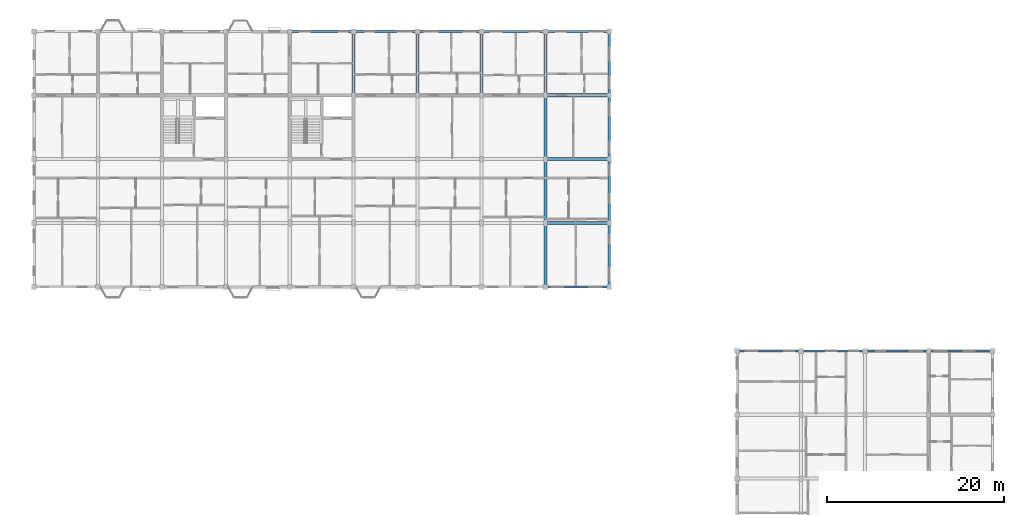
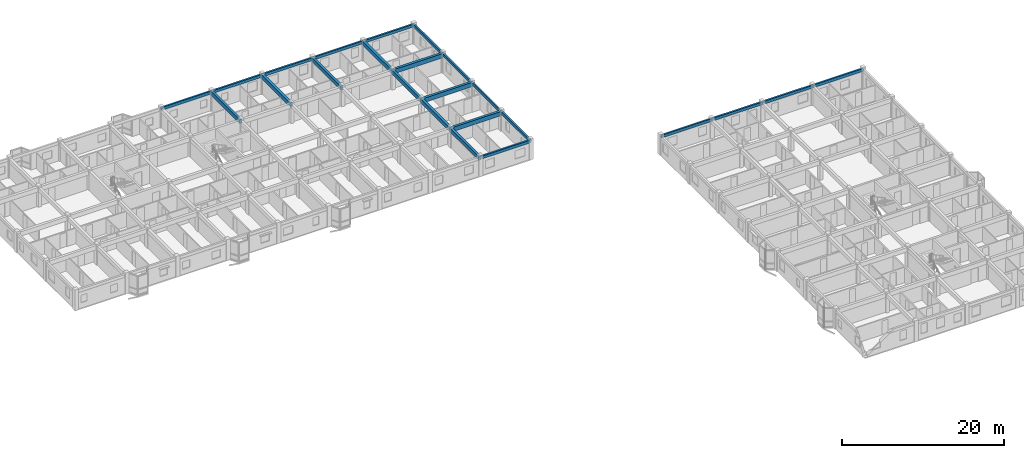
# One storey, part 45 of 77: 24 beams.
"""IFC4 building model written with IfcOpenShell, lengths in metres."""

from ifc_helpers import new_model, si_unit, direction, frame, origin, origin_2d, place, context, subcontext, project, spatial, rectangle, extrude, material, material_profile, profile_set, type_object, element, save


model = new_model("IFC4")

# Units and contexts
model_context = context("Model", 3, precision=1e-05, world=origin(), true_north=direction((0.0, 1.0)))
body_context = subcontext(model_context, "Body", "Model", "MODEL_VIEW")
ifc_project = project(units=[si_unit("LENGTHUNIT", "METRE"), si_unit("AREAUNIT", "SQUARE_METRE"), si_unit("VOLUMEUNIT", "CUBIC_METRE"), si_unit("PLANEANGLEUNIT", "RADIAN"), si_unit("MASSUNIT", "GRAM", prefix="KILO"), si_unit("THERMODYNAMICTEMPERATUREUNIT", "KELVIN"), si_unit("POWERUNIT", "WATT")], contexts=[model_context])

# Site, building, storey
site_placement = place(None, origin())
site = spatial("IfcSite", under=ifc_project, at=site_placement, CompositionType="ELEMENT")
building_placement = place(site_placement, origin())
building = spatial("IfcBuilding", under=site, at=building_placement, Name="Tavuni Mirador Residences", CompositionType="ELEMENT")
storey_placement = place(building_placement, frame((0.0, 0.0, 17.10009765625)))
storey = spatial("IfcBuildingStorey", under=building, at=storey_placement, Name="L05", CompositionType="ELEMENT", Elevation=17.10009765625)

# Beams
ifc_material = material(Name="Precast concrete C40/50", Category="concrete")
ifc_material_profile_1 = material_profile(ifc_material, rectangle(XDim=0.35009765625, YDim=0.60009765625, at=origin_2d()), Name="PC 350x600", Category="concrete")
ifc_profile_set_1 = profile_set([ifc_material_profile_1], Name="Precast concrete C40/50")
beam_type_1 = type_object("IfcBeamType", Name="BT-B600", PredefinedType="BEAM", material=ifc_profile_set_1)
for number, where, z_axis, x_axis, name in (
    (1, (46.800048828125, 165.60009765625, 2.5849609375), (0.0, 1.0, 0.0), (-1.0, 0.0, 0.0), "BMY-BLK-C-L05-05-03"),
    (2, (54.0, 165.60009765625, 2.5849609375), (0.0, 1.0, 0.0), (-1.0, 0.0, 0.0), "BMY-BLK-C-L05-06-03"),
    (3, (61.199951171875, 165.60009765625, 2.5849609375), (0.0, 1.0, 0.0), (-1.0, 0.0, 0.0), "BMY-BLK-C-L05-07-03"),
    (4, (68.39990234375, 144.0, 2.5849609375), (0.0, 1.0, 0.0), (-1.0, 0.0, 0.0), "BMY-BLK-C-L05-08-00"),
    (5, (68.39990234375, 151.199951171875, 2.5849609375), (0.0, 1.0, 0.0), (-1.0, 0.0, 0.0), "BMY-BLK-C-L05-08-01"),
):
    element("IfcBeam", number, at=place(storey_placement, frame(where, z_axis=z_axis, x_axis=x_axis)), inside=storey, type_object=beam_type_1, Name=name, PredefinedType="BEAM", context=body_context, shape_type="SweptSolid", body=[
        extrude(rectangle(XDim=0.35009765625, YDim=0.60009765625, at=origin_2d()), origin(), (0.0, 0.0, 1.0), 7.199951171875),
    ])
beam_1_placement = place(storey_placement, frame((68.39990234375, 158.39990234375, 2.5849609375), z_axis=(0.0, 1.0, 0.0), x_axis=(-1.0, 0.0, 0.0)))
element("IfcBeam", 6, at=beam_1_placement, inside=storey, type_object=beam_type_1, Name="BMY-BLK-C-L05-08-02", PredefinedType="BEAM", context=body_context, shape_type="SweptSolid", body=[
    extrude(rectangle(XDim=0.35009765625, YDim=0.60009765625, at=origin_2d()), origin(), (0.0, 0.0, 1.0), 7.2001953125),
])
beam_2_placement = place(storey_placement, frame((68.39990234375, 165.60009765625, 2.5849609375), z_axis=(0.0, 1.0, 0.0), x_axis=(-1.0, 0.0, 0.0)))
element("IfcBeam", 7, at=beam_2_placement, inside=storey, type_object=beam_type_1, Name="BMY-BLK-C-L05-08-03", PredefinedType="BEAM", context=body_context, shape_type="SweptSolid", body=[
    extrude(rectangle(XDim=0.35009765625, YDim=0.60009765625, at=origin_2d()), origin(), (0.0, 0.0, 1.0), 7.199951171875),
])
ifc_material_profile_2 = material_profile(ifc_material, rectangle(XDim=0.35009765625, YDim=0.64990234375, at=origin_2d()), Name="PC 350x650", Category="concrete")
ifc_profile_set_2 = profile_set([ifc_material_profile_2], Name="Precast concrete C40/50")
beam_type_2 = type_object("IfcBeamType", Name="BT-B650", PredefinedType="BEAM", material=ifc_profile_set_2)
for number, where, z_axis, x_axis, name in (
    (8, (68.39990234375, 151.199951171875, 2.559814453125), (1.0, 0.0, 0.0), (0.0, 1.0, 0.0), "BMX-BLK-C-L05-08-01"),
    (9, (68.39990234375, 158.39990234375, 2.559814453125), (1.0, 0.0, 0.0), (0.0, 1.0, 0.0), "BMX-BLK-C-L05-08-02"),
    (10, (68.39990234375, 165.60009765625, 2.559814453125), (1.0, 0.0, 0.0), (0.0, 1.0, 0.0), "BMX-BLK-C-L05-08-03"),
):
    element("IfcBeam", number, at=place(storey_placement, frame(where, z_axis=z_axis, x_axis=x_axis)), inside=storey, type_object=beam_type_2, Name=name, PredefinedType="BEAM", context=body_context, shape_type="SweptSolid", body=[
        extrude(rectangle(XDim=0.35009765625, YDim=0.64990234375, at=origin_2d()), origin(), (0.0, 0.0, 1.0), 7.2001953125),
    ])
ifc_material_profile_3 = material_profile(ifc_material, rectangle(XDim=0.25, YDim=0.419921875, at=origin_2d()), Name="PC 250x420", Category="concrete")
ifc_profile_set_3 = profile_set([ifc_material_profile_3], Name="Precast concrete C40/50")
beam_type_3 = type_object("IfcBeamType", Name="BT-SP420", PredefinedType="SPANDREL", material=ifc_profile_set_3)
beam_3_placement = place(storey_placement, frame((68.39990234375, 144.0, 2.6748046875), z_axis=(1.0, 0.0, 0.0), x_axis=(0.0, 1.0, 0.0)))
element("IfcBeam", 11, at=beam_3_placement, inside=storey, type_object=beam_type_3, Name="BMX-BLK-C-L05-08-00", PredefinedType="SPANDREL", context=body_context, shape_type="SweptSolid", body=[
    extrude(rectangle(XDim=0.25, YDim=0.419921875, at=origin_2d()), origin(), (0.0, 0.0, 1.0), 7.2001953125),
])
for number, where, z_axis, x_axis, name in (
    (12, (39.60009765625, 172.800048828125, 2.6748046875), (1.0, 0.0, 0.0), (0.0, 1.0, 0.0), "BMX-BLK-C-L05-04-04"),
    (13, (46.800048828125, 172.800048828125, 2.6748046875), (1.0, 0.0, 0.0), (0.0, 1.0, 0.0), "BMX-BLK-C-L05-05-04"),
    (14, (54.0, 172.800048828125, 2.6748046875), (1.0, 0.0, 0.0), (0.0, 1.0, 0.0), "BMX-BLK-C-L05-06-04"),
    (15, (61.199951171875, 172.800048828125, 2.6748046875), (1.0, 0.0, 0.0), (0.0, 1.0, 0.0), "BMX-BLK-C-L05-07-04"),
):
    element("IfcBeam", number, at=place(storey_placement, frame(where, z_axis=z_axis, x_axis=x_axis)), inside=storey, type_object=beam_type_3, Name=name, PredefinedType="SPANDREL", context=body_context, shape_type="SweptSolid", body=[
        extrude(rectangle(XDim=0.25, YDim=0.419921875, at=origin_2d()), origin(), (0.0, 0.0, 1.0), 7.199951171875),
    ])
beam_4_placement = place(storey_placement, frame((68.39990234375, 172.800048828125, 2.6748046875), z_axis=(1.0, 0.0, 0.0), x_axis=(0.0, 1.0, 0.0)))
element("IfcBeam", 16, at=beam_4_placement, inside=storey, type_object=beam_type_3, Name="BMX-BLK-C-L05-08-04", PredefinedType="SPANDREL", context=body_context, shape_type="SweptSolid", body=[
    extrude(rectangle(XDim=0.25, YDim=0.419921875, at=origin_2d()), origin(), (0.0, 0.0, 1.0), 7.2001953125),
])
for number, where, z_axis, x_axis, name in (
    (17, (75.60009765625, 144.0, 2.6748046875), (0.0, 1.0, 0.0), (-1.0, 0.0, 0.0), "BMY-BLK-C-L05-09-00"),
    (18, (75.60009765625, 151.199951171875, 2.6748046875), (0.0, 1.0, 0.0), (-1.0, 0.0, 0.0), "BMY-BLK-C-L05-09-01"),
):
    element("IfcBeam", number, at=place(storey_placement, frame(where, z_axis=z_axis, x_axis=x_axis)), inside=storey, type_object=beam_type_3, Name=name, PredefinedType="SPANDREL", context=body_context, shape_type="SweptSolid", body=[
        extrude(rectangle(XDim=0.25, YDim=0.419921875, at=origin_2d()), origin(), (0.0, 0.0, 1.0), 7.199951171875),
    ])
beam_5_placement = place(storey_placement, frame((75.60009765625, 158.39990234375, 2.6748046875), z_axis=(0.0, 1.0, 0.0), x_axis=(-1.0, 0.0, 0.0)))
element("IfcBeam", 19, at=beam_5_placement, inside=storey, type_object=beam_type_3, Name="BMY-BLK-C-L05-09-02", PredefinedType="SPANDREL", context=body_context, shape_type="SweptSolid", body=[
    extrude(rectangle(XDim=0.25, YDim=0.419921875, at=origin_2d()), origin(), (0.0, 0.0, 1.0), 7.2001953125),
])
for number, where, z_axis, x_axis, name in (
    (20, (75.60009765625, 165.60009765625, 2.6748046875), (0.0, 1.0, 0.0), (-1.0, 0.0, 0.0), "BMY-BLK-C-L05-09-03"),
    (21, (90.0, 136.800048828125, 2.679931640625), (1.0, 0.0, 0.0), (0.0, 1.0, 0.0), "BMX-BLK-D-L05-00-07"),
    (22, (97.199951171875, 136.800048828125, 2.679931640625), (1.0, 0.0, 0.0), (0.0, 1.0, 0.0), "BMX-BLK-D-L05-01-07"),
):
    element("IfcBeam", number, at=place(storey_placement, frame(where, z_axis=z_axis, x_axis=x_axis)), inside=storey, type_object=beam_type_3, Name=name, PredefinedType="SPANDREL", context=body_context, shape_type="SweptSolid", body=[
        extrude(rectangle(XDim=0.25, YDim=0.419921875, at=origin_2d()), origin(), (0.0, 0.0, 1.0), 7.199951171875),
    ])
beam_6_placement = place(storey_placement, frame((104.39990234375, 136.800048828125, 2.679931640625), z_axis=(1.0, 0.0, 0.0), x_axis=(0.0, 1.0, 0.0)))
element("IfcBeam", 23, at=beam_6_placement, inside=storey, type_object=beam_type_3, Name="BMX-BLK-D-L05-02-07", PredefinedType="SPANDREL", context=body_context, shape_type="SweptSolid", body=[
    extrude(rectangle(XDim=0.25, YDim=0.419921875, at=origin_2d()), origin(), (0.0, 0.0, 1.0), 7.2001953125),
])
beam_7_placement = place(storey_placement, frame((111.60009765625, 136.800048828125, 2.679931640625), z_axis=(1.0, 0.0, 0.0), x_axis=(0.0, 1.0, 0.0)))
element("IfcBeam", 24, at=beam_7_placement, inside=storey, type_object=beam_type_3, Name="BMX-BLK-D-L05-03-07", PredefinedType="SPANDREL", context=body_context, shape_type="SweptSolid", body=[
    extrude(rectangle(XDim=0.25, YDim=0.419921875, at=origin_2d()), origin(), (0.0, 0.0, 1.0), 7.199951171875),
])

save(model, "model.ifc")
